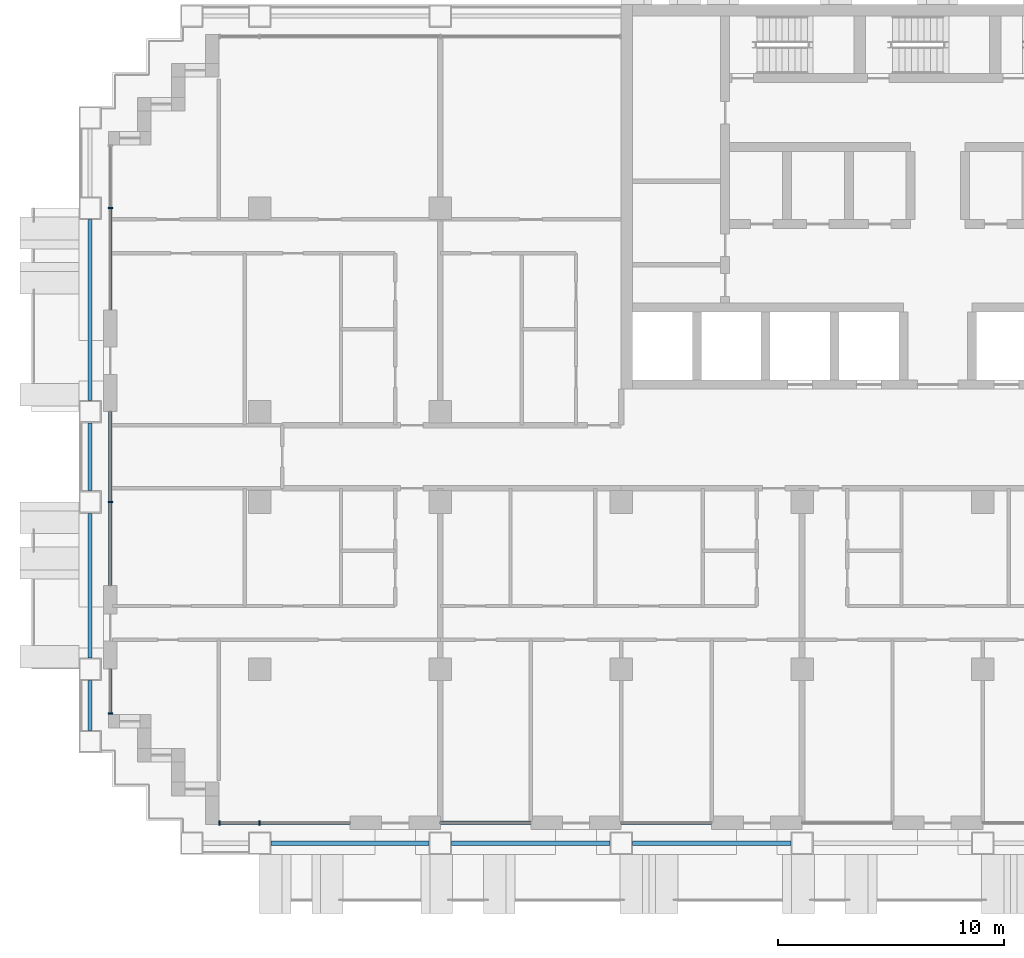
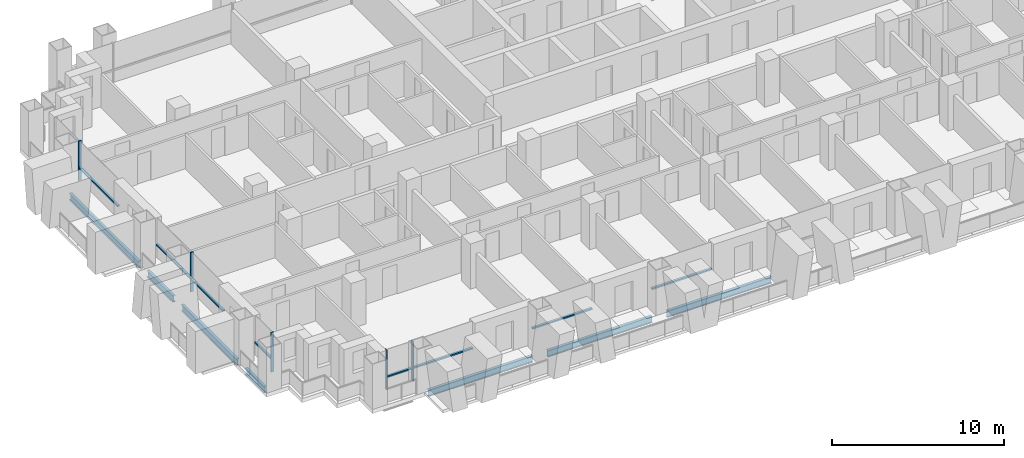
# One storey, part 2 of 19: 13 members, 7 beams, 6 elements without a shape of their own.
"""IFC4 building model written with IfcOpenShell, lengths in metres."""

from ifc_helpers import new_model, si_unit, direction, frame, origin, origin_2d, place, context, subcontext, project, spatial, rectangle, i_section, extrude, material, material_profile, profile_set, type_object, element, aggregate, save


model = new_model("IFC4")

# Units and contexts
model_context = context("Model", 3, precision=1e-05, world=origin(), true_north=direction((0.0, 1.0)))
body_context = subcontext(model_context, "Body", "Model", "MODEL_VIEW")
ifc_project = project(units=[si_unit("LENGTHUNIT", "METRE"), si_unit("AREAUNIT", "SQUARE_METRE"), si_unit("VOLUMEUNIT", "CUBIC_METRE"), si_unit("PLANEANGLEUNIT", "RADIAN"), si_unit("MASSUNIT", "GRAM", prefix="KILO")], contexts=[model_context])

# Site, building, storey
site_placement = place(None, origin())
site = spatial("IfcSite", under=ifc_project, at=site_placement, CompositionType="ELEMENT")
building_placement = place(site_placement, origin())
building = spatial("IfcBuilding", under=site, at=building_placement, Name="Vidyagriha Tower", CompositionType="ELEMENT")
storey_placement = place(building_placement, frame((0.0, 0.0, 60.800048828125)))
storey = spatial("IfcBuildingStorey", under=building, at=storey_placement, Name="L16", CompositionType="ELEMENT", Elevation=60.800048828125)

# Beams
ifc_material_1 = material(Name="Steel ASTM A992 Grade 50", Category="steel")
ifc_material_profile_1 = material_profile(ifc_material_1, i_section(OverallWidth=0.19189453125, OverallDepth=0.46240234375, WebThickness=0.010498046875, FlangeThickness=0.017578125, at=origin_2d()), Name="W18X60")
ifc_profile_set_1 = profile_set([ifc_material_profile_1], Name="Steel ASTM A992 Grade 50")
beam_type = type_object("IfcBeamType", Name="Edge beam W18X60", PredefinedType="SPANDREL", material=ifc_profile_set_1)
for number, where, z_axis, x_axis, name in (
    (1, (-29.5, -17.10009765625, -0.51123046875), (1.0, 0.0, 0.0), (0.0, 1.0, 0.0), "st-beam-L16-S02"),
    (2, (-21.5, -17.10009765625, -0.51123046875), (1.0, 0.0, 0.0), (0.0, 1.0, 0.0), "st-beam-L16-S03"),
    (3, (-13.5, -17.10009765625, -0.51123046875), (1.0, 0.0, 0.0), (0.0, 1.0, 0.0), "st-beam-L16-S04"),
):
    element("IfcBeam", number, at=place(storey_placement, frame(where, z_axis=z_axis, x_axis=x_axis)), inside=storey, type_object=beam_type, Name=name, PredefinedType="SPANDREL", context=body_context, shape_type="SweptSolid", body=[
        extrude(i_section(OverallWidth=0.19189453125, OverallDepth=0.46240234375, WebThickness=0.010498046875, FlangeThickness=0.017578125, at=origin_2d()), origin(), (0.0, 0.0, 1.0), 7.0),
    ])
beam_1_placement = place(storey_placement, frame((-37.5, -12.10009765625, -0.51123046875), z_axis=(0.0, 1.0, 0.0), x_axis=(-1.0, 0.0, 0.0)))
element("IfcBeam", 4, at=beam_1_placement, inside=storey, type_object=beam_type, Name="st-beam-L16-W10", PredefinedType="SPANDREL", context=body_context, shape_type="SweptSolid", body=[
    extrude(i_section(OverallWidth=0.19189453125, OverallDepth=0.46240234375, WebThickness=0.010498046875, FlangeThickness=0.017578125, at=origin_2d()), origin(), (0.0, 0.0, 1.0), 2.2001953125),
])
beam_2_placement = place(storey_placement, frame((-37.5, -8.89990234375, -0.51123046875), z_axis=(0.0, 1.0, 0.0), x_axis=(-1.0, 0.0, 0.0)))
element("IfcBeam", 5, at=beam_2_placement, inside=storey, type_object=beam_type, Name="st-beam-L16-W11", PredefinedType="SPANDREL", context=body_context, shape_type="SweptSolid", body=[
    extrude(i_section(OverallWidth=0.19189453125, OverallDepth=0.46240234375, WebThickness=0.010498046875, FlangeThickness=0.017578125, at=origin_2d()), origin(), (0.0, 0.0, 1.0), 6.39990234375),
])
beam_3_placement = place(storey_placement, frame((-37.5, -1.5, -0.51123046875), z_axis=(0.0, 1.0, 0.0), x_axis=(-1.0, 0.0, 0.0)))
element("IfcBeam", 6, at=beam_3_placement, inside=storey, type_object=beam_type, Name="st-beam-L16-W12", PredefinedType="SPANDREL", context=body_context, shape_type="SweptSolid", body=[
    extrude(i_section(OverallWidth=0.19189453125, OverallDepth=0.46240234375, WebThickness=0.010498046875, FlangeThickness=0.017578125, at=origin_2d()), origin(), (0.0, 0.0, 1.0), 3.0),
])
beam_4_placement = place(storey_placement, frame((-37.5, 2.5, -0.51123046875), z_axis=(0.0, 1.0, 0.0), x_axis=(-1.0, 0.0, 0.0)))
element("IfcBeam", 7, at=beam_4_placement, inside=storey, type_object=beam_type, Name="st-beam-L16-W13", PredefinedType="SPANDREL", context=body_context, shape_type="SweptSolid", body=[
    extrude(i_section(OverallWidth=0.19189453125, OverallDepth=0.46240234375, WebThickness=0.010498046875, FlangeThickness=0.017578125, at=origin_2d()), origin(), (0.0, 0.0, 1.0), 8.0),
])

# Curtain wall, member
ifc_material_2 = material(Name="Aluminium and glass curtain wall", Category="aluminium")
curtain_wall_type = type_object("IfcCurtainWallType", Name="Dwelling skin unitised curtain wall", PredefinedType="USERDEFINED", material=ifc_material_2)
curtain_wall_1_placement = place(storey_placement, origin())
curtain_wall_1 = element("IfcCurtainWall", 8, at=curtain_wall_1_placement, inside=storey, type_object=curtain_wall_type, Name="CW1 dwelling skin", ObjectType="UNITISED", PredefinedType="USERDEFINED")
ifc_material_3 = material(Name="Aluminium black anodised", Category="aluminium")
ifc_material_profile_2 = material_profile(ifc_material_3, rectangle(XDim=0.199951171875, YDim=0.070068359375, at=origin_2d()), Name="Mullion 70x200 black aluminium")
ifc_profile_set_2 = profile_set([ifc_material_profile_2], Name="Aluminium black anodised")
member_type_1 = type_object("IfcMemberType", Name="Mullion 70x200 black aluminium", PredefinedType="MULLION", material=ifc_profile_set_2)
member_1_placement = place(storey_placement, frame((-36.60009765625, 11.0, 0.0)))
member_1 = element("IfcMember", 9, at=member_1_placement, type_object=member_type_1, Name="CW1 mullion 2", PredefinedType="MULLION", context=body_context, shape_type="SweptSolid", body=[
    extrude(rectangle(XDim=0.199951171875, YDim=0.070068359375, at=origin_2d()), origin(), (0.0, 0.0, 1.0), 2.800048828125),
])

curtain_wall_2_placement = place(storey_placement, origin())
curtain_wall_2 = element("IfcCurtainWall", 10, at=curtain_wall_2_placement, inside=storey, type_object=curtain_wall_type, Name="CW1 dwelling skin", ObjectType="UNITISED", PredefinedType="USERDEFINED")
member_2_placement = place(storey_placement, frame((-36.60009765625, -2.0, 0.0)))
member_2 = element("IfcMember", 11, at=member_2_placement, type_object=member_type_1, Name="CW1 mullion 2", PredefinedType="MULLION", context=body_context, shape_type="SweptSolid", body=[
    extrude(rectangle(XDim=0.199951171875, YDim=0.070068359375, at=origin_2d()), origin(), (0.0, 0.0, 1.0), 2.800048828125),
])

curtain_wall_3_placement = place(storey_placement, origin())
curtain_wall_3 = element("IfcCurtainWall", 12, at=curtain_wall_3_placement, inside=storey, type_object=curtain_wall_type, Name="CW1 dwelling skin", ObjectType="UNITISED", PredefinedType="USERDEFINED")
member_3_placement = place(storey_placement, frame((-36.60009765625, -11.364990234375, 0.0)))
member_3 = element("IfcMember", 13, at=member_3_placement, type_object=member_type_1, Name="CW1 mullion 2", PredefinedType="MULLION", context=body_context, shape_type="SweptSolid", body=[
    extrude(rectangle(XDim=0.199951171875, YDim=0.070068359375, at=origin_2d()), origin(), (0.0, 0.0, 1.0), 2.800048828125),
])

# Curtain wall, members
curtain_wall_4_placement = place(storey_placement, origin())
curtain_wall_4 = element("IfcCurtainWall", 14, at=curtain_wall_4_placement, inside=storey, type_object=curtain_wall_type, Name="CW1 dwelling skin", ObjectType="UNITISED", PredefinedType="USERDEFINED")
member_4_placement = place(storey_placement, frame((-31.764892578125, -16.199951171875, 0.0), z_axis=(0.0, 0.0, 1.0), x_axis=(0.0, 1.0, 0.0)))
member_4 = element("IfcMember", 15, at=member_4_placement, type_object=member_type_1, Name="CW1 mullion 1", PredefinedType="MULLION", context=body_context, shape_type="SweptSolid", body=[
    extrude(rectangle(XDim=0.199951171875, YDim=0.070068359375, at=origin_2d()), origin(), (0.0, 0.0, 1.0), 2.800048828125),
])
member_5_placement = place(storey_placement, frame((-30.0, -16.199951171875, 0.0), z_axis=(0.0, 0.0, 1.0), x_axis=(0.0, 1.0, 0.0)))
member_5 = element("IfcMember", 16, at=member_5_placement, type_object=member_type_1, Name="CW1 mullion 2", PredefinedType="MULLION", context=body_context, shape_type="SweptSolid", body=[
    extrude(rectangle(XDim=0.199951171875, YDim=0.070068359375, at=origin_2d()), origin(), (0.0, 0.0, 1.0), 2.800048828125),
])

# Member
ifc_material_4 = material(Name="Aluminium black anodised", Category="aluminium")
ifc_material_profile_3 = material_profile(ifc_material_4, rectangle(XDim=0.159912109375, YDim=0.10009765625, at=origin_2d()), Name="Transom 100x160 black aluminium")
ifc_profile_set_3 = profile_set([ifc_material_profile_3], Name="Aluminium black anodised")
member_type_2 = type_object("IfcMemberType", Name="Transom 100x160 black aluminium", PredefinedType="USERDEFINED", material=ifc_profile_set_3)
member_6_placement = place(storey_placement, frame((-36.60009765625, 10.965087890625, 0.89990234375), z_axis=(0.0, -1.0, 0.0), x_axis=(1.0, 0.0, 0.0)))
member_6 = element("IfcMember", 17, at=member_6_placement, type_object=member_type_2, Name="CW1 transom 2.1", ObjectType="TRANSOM", PredefinedType="USERDEFINED", context=body_context, shape_type="SweptSolid", body=[
    extrude(rectangle(XDim=0.159912109375, YDim=0.10009765625, at=origin_2d()), origin(), (0.0, 0.0, 1.0), 4.465087890625),
])

aggregate(curtain_wall_1, [member_1, member_6])

member_7_placement = place(storey_placement, frame((-36.60009765625, 2.0, 0.89990234375), z_axis=(0.0, -1.0, 0.0), x_axis=(1.0, 0.0, 0.0)))
member_7 = element("IfcMember", 18, at=member_7_placement, type_object=member_type_2, Name="CW1 transom 1.1", ObjectType="TRANSOM", PredefinedType="USERDEFINED", context=body_context, shape_type="SweptSolid", body=[
    extrude(rectangle(XDim=0.159912109375, YDim=0.10009765625, at=origin_2d()), origin(), (0.0, 0.0, 1.0), 3.965087890625),
])

member_8_placement = place(storey_placement, frame((-36.60009765625, -2.034912109375, 0.89990234375), z_axis=(0.0, -1.0, 0.0), x_axis=(1.0, 0.0, 0.0)))
member_8 = element("IfcMember", 19, at=member_8_placement, type_object=member_type_2, Name="CW1 transom 2.1", ObjectType="TRANSOM", PredefinedType="USERDEFINED", context=body_context, shape_type="SweptSolid", body=[
    extrude(rectangle(XDim=0.159912109375, YDim=0.10009765625, at=origin_2d()), origin(), (0.0, 0.0, 1.0), 3.6650390625),
])

aggregate(curtain_wall_2, [member_2, member_7, member_8])

member_9_placement = place(storey_placement, frame((-36.60009765625, -9.39990234375, 0.89990234375), z_axis=(0.0, -1.0, 0.0), x_axis=(1.0, 0.0, 0.0)))
member_9 = element("IfcMember", 20, at=member_9_placement, type_object=member_type_2, Name="CW1 transom 1.1", ObjectType="TRANSOM", PredefinedType="USERDEFINED", context=body_context, shape_type="SweptSolid", body=[
    extrude(rectangle(XDim=0.159912109375, YDim=0.10009765625, at=origin_2d()), origin(), (0.0, 0.0, 1.0), 1.93017578125),
])

aggregate(curtain_wall_3, [member_3, member_9])

member_10_placement = place(storey_placement, frame((-31.72998046875, -16.199951171875, 0.89990234375), z_axis=(1.0, 0.0, 0.0), x_axis=(0.0, 1.0, 0.0)))
member_10 = element("IfcMember", 21, at=member_10_placement, type_object=member_type_2, Name="CW1 transom 1.1", ObjectType="TRANSOM", PredefinedType="USERDEFINED", context=body_context, shape_type="SweptSolid", body=[
    extrude(rectangle(XDim=0.159912109375, YDim=0.10009765625, at=origin_2d()), origin(), (0.0, 0.0, 1.0), 1.695068359375),
])

member_11_placement = place(storey_placement, frame((-29.965087890625, -16.199951171875, 0.89990234375), z_axis=(1.0, 0.0, 0.0), x_axis=(0.0, 1.0, 0.0)))
member_11 = element("IfcMember", 22, at=member_11_placement, type_object=member_type_2, Name="CW1 transom 2.1", ObjectType="TRANSOM", PredefinedType="USERDEFINED", context=body_context, shape_type="SweptSolid", body=[
    extrude(rectangle(XDim=0.159912109375, YDim=0.10009765625, at=origin_2d()), origin(), (0.0, 0.0, 1.0), 3.965087890625),
])

aggregate(curtain_wall_4, [member_4, member_5, member_10, member_11])

# Curtain wall, member
curtain_wall_5_placement = place(storey_placement, origin())
curtain_wall_5 = element("IfcCurtainWall", 23, at=curtain_wall_5_placement, inside=storey, type_object=curtain_wall_type, Name="CW1 dwelling skin", ObjectType="UNITISED", PredefinedType="USERDEFINED")
member_12_placement = place(storey_placement, frame((-22.0, -16.199951171875, 0.89990234375), z_axis=(1.0, 0.0, 0.0), x_axis=(0.0, 1.0, 0.0)))
member_12 = element("IfcMember", 24, at=member_12_placement, type_object=member_type_2, Name="CW1 transom 1.1", ObjectType="TRANSOM", PredefinedType="USERDEFINED", context=body_context, shape_type="SweptSolid", body=[
    extrude(rectangle(XDim=0.159912109375, YDim=0.10009765625, at=origin_2d()), origin(), (0.0, 0.0, 1.0), 4.0),
])
aggregate(curtain_wall_5, [member_12])

curtain_wall_6_placement = place(storey_placement, origin())
curtain_wall_6 = element("IfcCurtainWall", 25, at=curtain_wall_6_placement, inside=storey, type_object=curtain_wall_type, Name="CW1 dwelling skin", ObjectType="UNITISED", PredefinedType="USERDEFINED")
member_13_placement = place(storey_placement, frame((-14.0, -16.199951171875, 0.89990234375), z_axis=(1.0, 0.0, 0.0), x_axis=(0.0, 1.0, 0.0)))
member_13 = element("IfcMember", 26, at=member_13_placement, type_object=member_type_2, Name="CW1 transom 1.1", ObjectType="TRANSOM", PredefinedType="USERDEFINED", context=body_context, shape_type="SweptSolid", body=[
    extrude(rectangle(XDim=0.159912109375, YDim=0.10009765625, at=origin_2d()), origin(), (0.0, 0.0, 1.0), 4.0),
])
aggregate(curtain_wall_6, [member_13])

save(model, "model.ifc")
